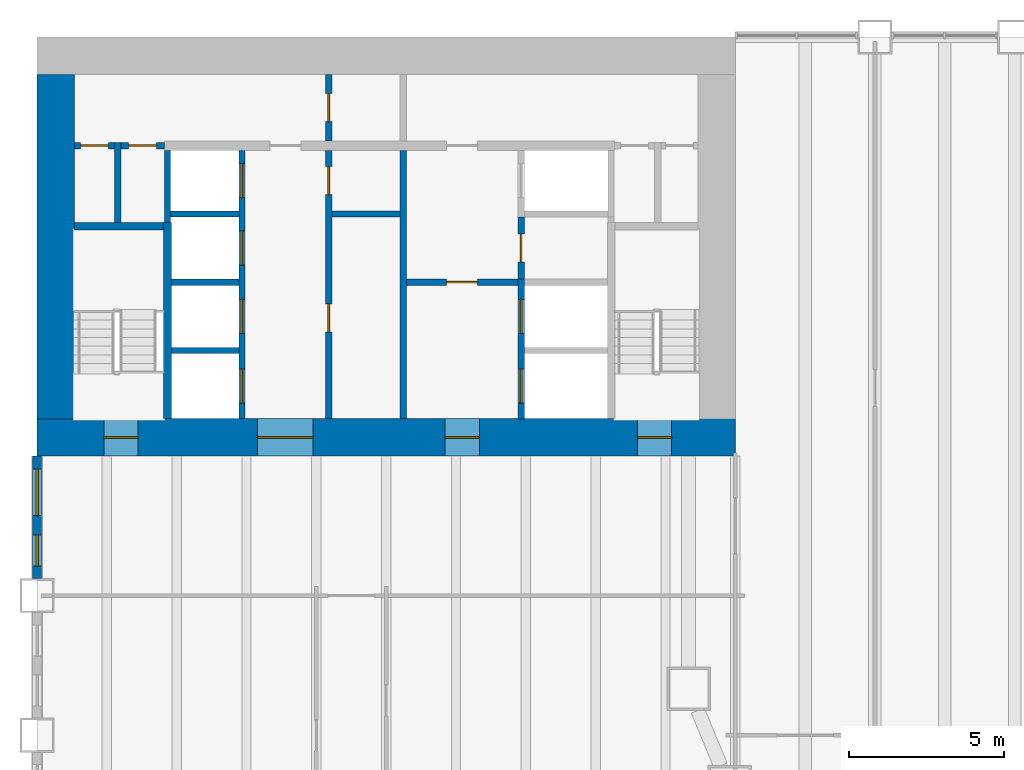
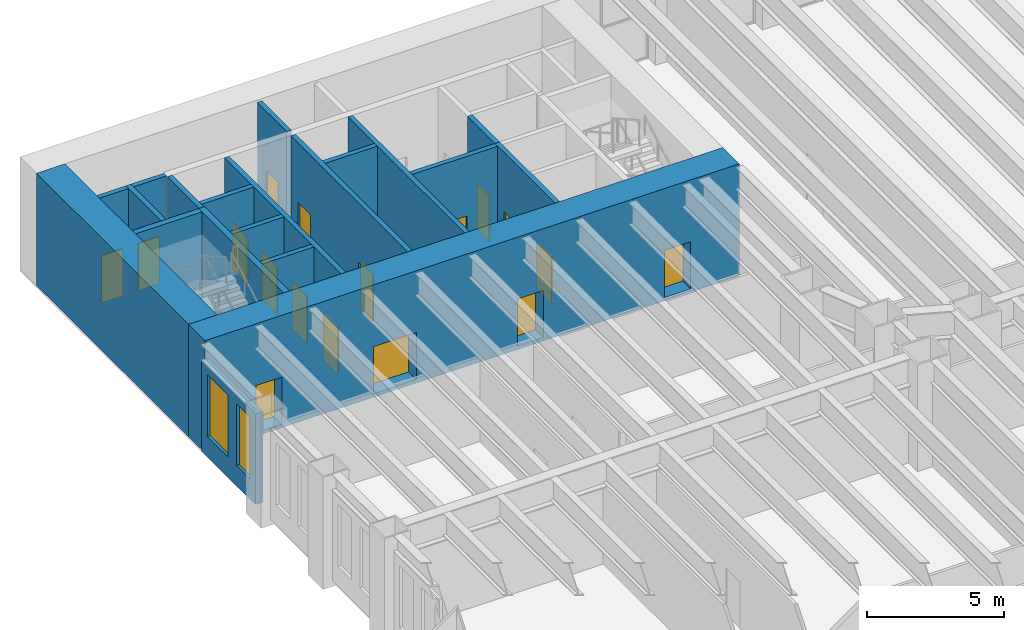
# One storey, part 14 of 19: 20 walls, 17 doors, 2 windows, 19 openings.
"""IFC4 building model written with IfcOpenShell, lengths in metres."""

from ifc_helpers import new_model, si_unit, direction, frame, frame_2d, origin, place, context, subcontext, project, spatial, rectangle, extrude, material, layer, layer_set, type_object, element, fill, save


model = new_model("IFC4")

# Units and contexts
model_context = context("Model", 3, precision=1e-05, world=origin(), true_north=direction((0.0, 1.0)))
body_context = subcontext(model_context, "Body", "Model", "MODEL_VIEW")
ifc_project = project(units=[si_unit("LENGTHUNIT", "METRE"), si_unit("AREAUNIT", "SQUARE_METRE"), si_unit("VOLUMEUNIT", "CUBIC_METRE"), si_unit("PLANEANGLEUNIT", "RADIAN"), si_unit("MASSUNIT", "GRAM", prefix="KILO")], contexts=[model_context])

# Site, building, storey
site_placement = place(None, origin())
site = spatial("IfcSite", under=ifc_project, at=site_placement, CompositionType="ELEMENT")
building_placement = place(site_placement, origin())
building = spatial("IfcBuilding", under=site, at=building_placement, Name="Sennacour Bend Tower", CompositionType="ELEMENT")
storey_placement = place(building_placement, frame((0.0, 0.0, 19.0)))
storey = spatial("IfcBuildingStorey", under=building, at=storey_placement, Name="L03", CompositionType="ELEMENT", Elevation=19.0)

# Wall, openings, doors
ifc_material_1 = material(Name="Concrete C80/95", Category="concrete")
ifc_layer_1 = layer(ifc_material_1, 1.199951171875, Name="Concrete C80/95", Category="concrete")
ifc_layer_set_1 = layer_set([ifc_layer_1], Name="Concrete C80/95")
wall_type_1 = type_object("IfcWallType", Name="Core wall 1200 C80/95", PredefinedType="SHEAR", material=ifc_layer_set_1)
wall_1_placement = place(storey_placement, frame((0.0, 36.60009765625, -0.14990234375), z_axis=(0.0, 0.0, 1.0), x_axis=(1.0, 0.0, 0.0)))
wall_1 = element("IfcWall", 1, at=wall_1_placement, inside=storey, type_object=wall_type_1, Name="Core B wall L03 S", PredefinedType="SHEAR", context=body_context, shape_type="SweptSolid", body=[
    extrude(rectangle(XDim=22.5, YDim=1.199951171875, at=frame_2d((11.25, 0.0))), origin(), (0.0, 0.0, 1.0), 5.0),
])
opening_1_placement = place(wall_1_placement, frame((7.10009765625, 0.0, 0.14990234375)))
opening_1 = element("IfcOpeningElement", 2, at=opening_1_placement, cuts=wall_1, Name="Opening CD", PredefinedType="OPENING", context=body_context, shape_type="SweptSolid", body=[
    extrude(rectangle(XDim=1.800048828125, YDim=2.10009765625, at=frame_2d((0.89990234375, 1.050048828125))), frame((0.0, 0.60986328125, 0.0), z_axis=(0.0, -1.0, 0.0), x_axis=(1.0, 0.0, 0.0)), (0.0, 0.0, 1.0), 1.219970703125),
])
opening_2_placement = place(wall_1_placement, frame((13.14990234375, 0.0, 0.14990234375)))
opening_2 = element("IfcOpeningElement", 3, at=opening_2_placement, cuts=wall_1, Name="Opening FD", PredefinedType="OPENING", context=body_context, shape_type="SweptSolid", body=[
    extrude(rectangle(XDim=1.10009765625, YDim=2.10009765625, at=frame_2d((0.550048828125, 1.050048828125))), frame((0.0, 0.60986328125, 0.0), z_axis=(0.0, -1.0, 0.0), x_axis=(1.0, 0.0, 0.0)), (0.0, 0.0, 1.0), 1.219970703125),
])
opening_3_placement = place(wall_1_placement, frame((2.14990234375, 0.0, 0.14990234375)))
opening_3 = element("IfcOpeningElement", 4, at=opening_3_placement, cuts=wall_1, Name="Opening SD", PredefinedType="OPENING", context=body_context, shape_type="SweptSolid", body=[
    extrude(rectangle(XDim=1.10009765625, YDim=2.10009765625, at=frame_2d((0.550048828125, 1.050048828125))), frame((0.0, 0.60986328125, 0.0), z_axis=(0.0, -1.0, 0.0), x_axis=(1.0, 0.0, 0.0)), (0.0, 0.0, 1.0), 1.219970703125),
])
opening_4_placement = place(wall_1_placement, frame((19.35009765625, 0.0, 0.14990234375)))
opening_4 = element("IfcOpeningElement", 5, at=opening_4_placement, cuts=wall_1, Name="Opening SD", PredefinedType="OPENING", context=body_context, shape_type="SweptSolid", body=[
    extrude(rectangle(XDim=1.10009765625, YDim=2.10009765625, at=frame_2d((0.550048828125, 1.050048828125))), frame((0.0, 0.60986328125, 0.0), z_axis=(0.0, -1.0, 0.0), x_axis=(1.0, 0.0, 0.0)), (0.0, 0.0, 1.0), 1.219970703125),
])
ifc_material_2 = material(Name="Painted steel", Category="steel")
door_type_1 = type_object("IfcDoorType", Name="DR-FFL-1100", OperationType="NOTDEFINED", PredefinedType="DOOR", material=ifc_material_2)
door_1_placement = place(opening_2_placement, origin())
door_1 = element("IfcDoor", 6, at=door_1_placement, inside=storey, type_object=door_type_1, Name="Door", OperationType="SINGLE_SWING_RIGHT", OverallHeight=2.10009765625, OverallWidth=1.10009765625, PredefinedType="DOOR", context=body_context, shape_type="SweptSolid", body=[
    extrude(rectangle(XDim=1.10009765625, YDim=2.10009765625, at=frame_2d((0.550048828125, 1.050048828125))), frame((0.0, 0.02490234375, 0.0), z_axis=(0.0, -1.0, 0.0), x_axis=(1.0, 0.0, 0.0)), (0.0, 0.0, 1.0), 0.050048828125),
])
fill(opening_2, door_1)
door_type_2 = type_object("IfcDoorType", Name="DR-LOBBY-1800", OperationType="NOTDEFINED", PredefinedType="DOOR", material=ifc_material_2)
door_2_placement = place(opening_1_placement, origin())
door_2 = element("IfcDoor", 7, at=door_2_placement, inside=storey, type_object=door_type_2, Name="Door", OperationType="DOUBLE_DOOR_SINGLE_SWING", OverallHeight=2.10009765625, OverallWidth=1.800048828125, PredefinedType="DOOR", context=body_context, shape_type="SweptSolid", body=[
    extrude(rectangle(XDim=1.800048828125, YDim=2.10009765625, at=frame_2d((0.89990234375, 1.050048828125))), frame((0.0, 0.02490234375, 0.0), z_axis=(0.0, -1.0, 0.0), x_axis=(1.0, 0.0, 0.0)), (0.0, 0.0, 1.0), 0.050048828125),
])
fill(opening_1, door_2)
door_type_3 = type_object("IfcDoorType", Name="DR-STAIR-1100", OperationType="NOTDEFINED", PredefinedType="DOOR", material=ifc_material_2)
door_3_placement = place(opening_3_placement, origin())
door_3 = element("IfcDoor", 8, at=door_3_placement, inside=storey, type_object=door_type_3, Name="Door", OperationType="SINGLE_SWING_LEFT", OverallHeight=2.10009765625, OverallWidth=1.10009765625, PredefinedType="DOOR", context=body_context, shape_type="SweptSolid", body=[
    extrude(rectangle(XDim=1.10009765625, YDim=2.10009765625, at=frame_2d((0.550048828125, 1.050048828125))), frame((0.0, 0.02490234375, 0.0), z_axis=(0.0, -1.0, 0.0), x_axis=(1.0, 0.0, 0.0)), (0.0, 0.0, 1.0), 0.050048828125),
])
fill(opening_3, door_3)
door_4_placement = place(opening_4_placement, origin())
door_4 = element("IfcDoor", 9, at=door_4_placement, inside=storey, type_object=door_type_3, Name="Door", OperationType="SINGLE_SWING_RIGHT", OverallHeight=2.10009765625, OverallWidth=1.10009765625, PredefinedType="DOOR", context=body_context, shape_type="SweptSolid", body=[
    extrude(rectangle(XDim=1.10009765625, YDim=2.10009765625, at=frame_2d((0.550048828125, 1.050048828125))), frame((0.0, 0.02490234375, 0.0), z_axis=(0.0, -1.0, 0.0), x_axis=(1.0, 0.0, 0.0)), (0.0, 0.0, 1.0), 0.050048828125),
])
fill(opening_4, door_4)

# Walls
wall_2_placement = place(storey_placement, frame((0.60009765625, 37.199951171875, -0.14990234375), z_axis=(0.0, 0.0, 1.0), x_axis=(0.0, 1.0, 0.0)))
element("IfcWall", 10, at=wall_2_placement, inside=storey, type_object=wall_type_1, Name="Core B wall L03 W", PredefinedType="SHEAR", context=body_context, shape_type="SweptSolid", body=[
    extrude(rectangle(XDim=11.10009765625, YDim=1.199951171875, at=frame_2d((5.550048828125, 0.0))), origin(), (0.0, 0.0, 1.0), 5.0),
])
ifc_material_3 = material(Name="Fire-rated plasterboard partition on steel studs", Category="steel")
ifc_layer_2 = layer(ifc_material_3, 0.199951171875, Name="Fire-rated plasterboard partition on steel studs", Category="steel")
ifc_layer_set_2 = layer_set([ifc_layer_2], Name="Fire-rated plasterboard partition on steel studs")
wall_type_2 = type_object("IfcWallType", Name="Rated partition 200", PredefinedType="PARTITIONING", material=ifc_layer_set_2)
wall_3_placement = place(storey_placement, frame((2.60009765625, 43.52490234375, 0.0), z_axis=(0.0, 0.0, 1.0), x_axis=(0.0, 1.0, 0.0)))
element("IfcWall", 11, at=wall_3_placement, inside=storey, type_object=wall_type_2, Name="P-L03-W003", PredefinedType="PARTITIONING", context=body_context, shape_type="SweptSolid", body=[
    extrude(rectangle(XDim=2.5751953125, YDim=0.199951171875, at=frame_2d((1.28759765625, 0.0))), origin(), (0.0, 0.0, 1.0), 4.75),
])

# Wall, openings, doors
wall_4_placement = place(storey_placement, frame((9.39990234375, 37.199951171875, 0.0), z_axis=(0.0, 0.0, 1.0), x_axis=(0.0, 1.0, 0.0)))
wall_4 = element("IfcWall", 12, at=wall_4_placement, inside=storey, type_object=wall_type_2, Name="P-L03-W011a", PredefinedType="PARTITIONING", context=body_context, shape_type="SweptSolid", body=[
    extrude(rectangle(XDim=8.650146484375, YDim=0.199951171875, at=frame_2d((4.3251953125, 0.0))), origin(), (0.0, 0.0, 1.0), 4.75),
])
opening_5_placement = place(wall_4_placement, frame((2.800048828125, 0.0, 0.0)))
opening_5 = element("IfcOpeningElement", 13, at=opening_5_placement, cuts=wall_4, Name="Opening SV", PredefinedType="OPENING", context=body_context, shape_type="SweptSolid", body=[
    extrude(rectangle(XDim=0.89990234375, YDim=2.10009765625, at=frame_2d((0.449951171875, 1.050048828125))), frame((0.0, 0.10986328125, 0.0), z_axis=(0.0, -1.0, 0.0), x_axis=(1.0, 0.0, 0.0)), (0.0, 0.0, 1.0), 0.219970703125),
])
opening_6_placement = place(wall_4_placement, frame((7.22509765625, 0.0, 0.0)))
opening_6 = element("IfcOpeningElement", 14, at=opening_6_placement, cuts=wall_4, Name="Opening SV", PredefinedType="OPENING", context=body_context, shape_type="SweptSolid", body=[
    extrude(rectangle(XDim=0.89990234375, YDim=2.10009765625, at=frame_2d((0.449951171875, 1.050048828125))), frame((0.0, 0.10986328125, 0.0), z_axis=(0.0, -1.0, 0.0), x_axis=(1.0, 0.0, 0.0)), (0.0, 0.0, 1.0), 0.219970703125),
])
door_type_4 = type_object("IfcDoorType", Name="DR-SERVICE-900", OperationType="NOTDEFINED", PredefinedType="DOOR", material=ifc_material_2)
door_5_placement = place(opening_5_placement, origin())
door_5 = element("IfcDoor", 15, at=door_5_placement, inside=storey, type_object=door_type_4, Name="Door", OperationType="SINGLE_SWING_LEFT", OverallHeight=2.10009765625, OverallWidth=0.89990234375, PredefinedType="DOOR", context=body_context, shape_type="SweptSolid", body=[
    extrude(rectangle(XDim=0.89990234375, YDim=2.10009765625, at=frame_2d((0.449951171875, 1.050048828125))), frame((0.0, 0.02490234375, 0.0), z_axis=(0.0, -1.0, 0.0), x_axis=(1.0, 0.0, 0.0)), (0.0, 0.0, 1.0), 0.050048828125),
])
fill(opening_5, door_5)
door_6_placement = place(opening_6_placement, origin())
door_6 = element("IfcDoor", 16, at=door_6_placement, inside=storey, type_object=door_type_4, Name="Door", OperationType="SINGLE_SWING_RIGHT", OverallHeight=2.10009765625, OverallWidth=0.89990234375, PredefinedType="DOOR", context=body_context, shape_type="SweptSolid", body=[
    extrude(rectangle(XDim=0.89990234375, YDim=2.10009765625, at=frame_2d((0.449951171875, 1.050048828125))), frame((0.0, 0.02490234375, 0.0), z_axis=(0.0, -1.0, 0.0), x_axis=(1.0, 0.0, 0.0)), (0.0, 0.0, 1.0), 0.050048828125),
])
fill(opening_6, door_6)

# Wall, opening, door
wall_5_placement = place(storey_placement, frame((9.39990234375, 46.14990234375, 0.0), z_axis=(0.0, 0.0, 1.0), x_axis=(0.0, 1.0, 0.0)))
wall_5 = element("IfcWall", 17, at=wall_5_placement, inside=storey, type_object=wall_type_2, Name="P-L03-W011b", PredefinedType="PARTITIONING", context=body_context, shape_type="SweptSolid", body=[
    extrude(rectangle(XDim=2.150146484375, YDim=0.199951171875, at=frame_2d((1.0751953125, 0.0))), origin(), (0.0, 0.0, 1.0), 4.75),
])
opening_7_placement = place(wall_5_placement, frame((0.625, 0.0, 0.0)))
opening_7 = element("IfcOpeningElement", 18, at=opening_7_placement, cuts=wall_5, Name="Opening SV", PredefinedType="OPENING", context=body_context, shape_type="SweptSolid", body=[
    extrude(rectangle(XDim=0.89990234375, YDim=2.10009765625, at=frame_2d((0.449951171875, 1.050048828125))), frame((0.0, 0.10986328125, 0.0), z_axis=(0.0, -1.0, 0.0), x_axis=(1.0, 0.0, 0.0)), (0.0, 0.0, 1.0), 0.219970703125),
])
door_7_placement = place(opening_7_placement, origin())
door_7 = element("IfcDoor", 19, at=door_7_placement, inside=storey, type_object=door_type_4, Name="Door", OperationType="SINGLE_SWING_LEFT", OverallHeight=2.10009765625, OverallWidth=0.89990234375, PredefinedType="DOOR", context=body_context, shape_type="SweptSolid", body=[
    extrude(rectangle(XDim=0.89990234375, YDim=2.10009765625, at=frame_2d((0.449951171875, 1.050048828125))), frame((0.0, 0.02490234375, 0.0), z_axis=(0.0, -1.0, 0.0), x_axis=(1.0, 0.0, 0.0)), (0.0, 0.0, 1.0), 0.050048828125),
])
fill(opening_7, door_7)

# Wall
wall_6_placement = place(storey_placement, frame((11.800048828125, 37.199951171875, 0.0), z_axis=(0.0, 0.0, 1.0), x_axis=(0.0, 1.0, 0.0)))
element("IfcWall", 20, at=wall_6_placement, inside=storey, type_object=wall_type_2, Name="P-L03-W013a", PredefinedType="PARTITIONING", context=body_context, shape_type="SweptSolid", body=[
    extrude(rectangle(XDim=8.650146484375, YDim=0.199951171875, at=frame_2d((4.3251953125, 0.0))), origin(), (0.0, 0.0, 1.0), 4.75),
])

# Wall, opening, door
wall_7_placement = place(storey_placement, frame((15.60009765625, 41.699951171875, 0.0), z_axis=(0.0, 0.0, 1.0), x_axis=(0.0, 1.0, 0.0)))
wall_7 = element("IfcWall", 21, at=wall_7_placement, inside=storey, type_object=wall_type_2, Name="P-L03-W015", PredefinedType="PARTITIONING", context=body_context, shape_type="SweptSolid", body=[
    extrude(rectangle(XDim=2.0, YDim=0.199951171875, at=frame_2d((1.0, 0.0))), origin(), (0.0, 0.0, 1.0), 4.75),
])
opening_8_placement = place(wall_7_placement, frame((0.550048828125, 0.0, 0.0)))
opening_8 = element("IfcOpeningElement", 22, at=opening_8_placement, cuts=wall_7, Name="Opening SV", PredefinedType="OPENING", context=body_context, shape_type="SweptSolid", body=[
    extrude(rectangle(XDim=0.89990234375, YDim=2.10009765625, at=frame_2d((0.449951171875, 1.050048828125))), frame((0.0, 0.10986328125, 0.0), z_axis=(0.0, -1.0, 0.0), x_axis=(1.0, 0.0, 0.0)), (0.0, 0.0, 1.0), 0.219970703125),
])
door_8_placement = place(opening_8_placement, origin())
door_8 = element("IfcDoor", 23, at=door_8_placement, inside=storey, type_object=door_type_4, Name="Door", OperationType="SINGLE_SWING_RIGHT", OverallHeight=2.10009765625, OverallWidth=0.89990234375, PredefinedType="DOOR", context=body_context, shape_type="SweptSolid", body=[
    extrude(rectangle(XDim=0.89990234375, YDim=2.10009765625, at=frame_2d((0.449951171875, 1.050048828125))), frame((0.0, 0.02490234375, 0.0), z_axis=(0.0, -1.0, 0.0), x_axis=(1.0, 0.0, 0.0)), (0.0, 0.0, 1.0), 0.050048828125),
])
fill(opening_8, door_8)

# Wall
wall_8_placement = place(storey_placement, frame((9.5, 43.800048828125, 0.0), z_axis=(0.0, 0.0, 1.0), x_axis=(1.0, 0.0, 0.0)))
element("IfcWall", 24, at=wall_8_placement, inside=storey, type_object=wall_type_2, Name="P-L03-W078", PredefinedType="PARTITIONING", context=body_context, shape_type="SweptSolid", body=[
    extrude(rectangle(XDim=2.199951171875, YDim=0.199951171875, at=frame_2d((1.10009765625, 0.0))), origin(), (0.0, 0.0, 1.0), 4.75),
])

# Wall, opening, door
wall_9_placement = place(storey_placement, frame((1.199951171875, 46.0, 0.0), z_axis=(0.0, 0.0, 1.0), x_axis=(1.0, 0.0, 0.0)))
wall_9 = element("IfcWall", 25, at=wall_9_placement, inside=storey, type_object=wall_type_2, Name="P-L03-W080a", PredefinedType="PARTITIONING", context=body_context, shape_type="SweptSolid", body=[
    extrude(rectangle(XDim=1.300048828125, YDim=0.199951171875, at=frame_2d((0.64990234375, 0.0))), origin(), (0.0, 0.0, 1.0), 4.75),
])
opening_9_placement = place(wall_9_placement, frame((0.199951171875, 0.0, 0.0)))
opening_9 = element("IfcOpeningElement", 26, at=opening_9_placement, cuts=wall_9, Name="Opening SV", PredefinedType="OPENING", context=body_context, shape_type="SweptSolid", body=[
    extrude(rectangle(XDim=0.89990234375, YDim=2.10009765625, at=frame_2d((0.449951171875, 1.050048828125))), frame((0.0, 0.10986328125, 0.0), z_axis=(0.0, -1.0, 0.0), x_axis=(1.0, 0.0, 0.0)), (0.0, 0.0, 1.0), 0.219970703125),
])
door_9_placement = place(opening_9_placement, origin())
door_9 = element("IfcDoor", 27, at=door_9_placement, inside=storey, type_object=door_type_4, Name="Door", OperationType="SINGLE_SWING_LEFT", OverallHeight=2.10009765625, OverallWidth=0.89990234375, PredefinedType="DOOR", context=body_context, shape_type="SweptSolid", body=[
    extrude(rectangle(XDim=0.89990234375, YDim=2.10009765625, at=frame_2d((0.449951171875, 1.050048828125))), frame((0.0, 0.02490234375, 0.0), z_axis=(0.0, -1.0, 0.0), x_axis=(1.0, 0.0, 0.0)), (0.0, 0.0, 1.0), 0.050048828125),
])
fill(opening_9, door_9)

wall_10_placement = place(storey_placement, frame((2.699951171875, 46.0, 0.0), z_axis=(0.0, 0.0, 1.0), x_axis=(1.0, 0.0, 0.0)))
wall_10 = element("IfcWall", 28, at=wall_10_placement, inside=storey, type_object=wall_type_2, Name="P-L03-W080b", PredefinedType="PARTITIONING", context=body_context, shape_type="SweptSolid", body=[
    extrude(rectangle(XDim=1.400146484375, YDim=0.199951171875, at=frame_2d((0.7001953125, 0.0))), origin(), (0.0, 0.0, 1.0), 4.75),
])
opening_10_placement = place(wall_10_placement, frame((0.25, 0.0, 0.0)))
opening_10 = element("IfcOpeningElement", 29, at=opening_10_placement, cuts=wall_10, Name="Opening WD", PredefinedType="OPENING", context=body_context, shape_type="SweptSolid", body=[
    extrude(rectangle(XDim=0.89990234375, YDim=2.10009765625, at=frame_2d((0.449951171875, 1.050048828125))), frame((0.0, 0.10986328125, 0.0), z_axis=(0.0, -1.0, 0.0), x_axis=(1.0, 0.0, 0.0)), (0.0, 0.0, 1.0), 0.219970703125),
])
ifc_material_4 = material(Name="Timber", Category="wood")
door_type_5 = type_object("IfcDoorType", Name="DR-WC-900", OperationType="NOTDEFINED", PredefinedType="DOOR", material=ifc_material_4)
door_10_placement = place(opening_10_placement, origin())
door_10 = element("IfcDoor", 30, at=door_10_placement, inside=storey, type_object=door_type_5, Name="Door", OperationType="SINGLE_SWING_LEFT", OverallHeight=2.10009765625, OverallWidth=0.89990234375, PredefinedType="DOOR", context=body_context, shape_type="SweptSolid", body=[
    extrude(rectangle(XDim=0.89990234375, YDim=2.10009765625, at=frame_2d((0.449951171875, 1.050048828125))), frame((0.0, 0.02490234375, 0.0), z_axis=(0.0, -1.0, 0.0), x_axis=(1.0, 0.0, 0.0)), (0.0, 0.0, 1.0), 0.050048828125),
])
fill(opening_10, door_10)

ifc_layer_3 = layer(ifc_material_3, 0.199951171875, Name="Fire-rated plasterboard partition on steel studs", Category="steel")
ifc_layer_set_3 = layer_set([ifc_layer_3], Name="Fire-rated plasterboard partition on steel studs")
wall_type_3 = type_object("IfcWallType", Name="Rated partition 200 EI 90", PredefinedType="PARTITIONING", material=ifc_layer_set_3)
wall_11_placement = place(storey_placement, frame((11.89990234375, 41.60009765625, 0.0), z_axis=(0.0, 0.0, 1.0), x_axis=(1.0, 0.0, 0.0)))
wall_11 = element("IfcWall", 31, at=wall_11_placement, inside=storey, type_object=wall_type_3, Name="P-L03-W073", PredefinedType="PARTITIONING", context=body_context, shape_type="SweptSolid", body=[
    extrude(rectangle(XDim=3.60009765625, YDim=0.199951171875, at=frame_2d((1.800048828125, 0.0))), origin(), (0.0, 0.0, 1.0), 4.75),
])
opening_11_placement = place(wall_11_placement, frame((1.300048828125, 0.0, 0.0)))
opening_11 = element("IfcOpeningElement", 32, at=opening_11_placement, cuts=wall_11, Name="Opening FD2", PredefinedType="OPENING", context=body_context, shape_type="SweptSolid", body=[
    extrude(rectangle(XDim=1.0, YDim=2.10009765625, at=frame_2d((0.5, 1.050048828125))), frame((0.0, 0.10986328125, 0.0), z_axis=(0.0, -1.0, 0.0), x_axis=(1.0, 0.0, 0.0)), (0.0, 0.0, 1.0), 0.219970703125),
])
door_type_6 = type_object("IfcDoorType", Name="DR-FFL-1000", OperationType="NOTDEFINED", PredefinedType="DOOR", material=ifc_material_2)
door_11_placement = place(opening_11_placement, origin())
door_11 = element("IfcDoor", 33, at=door_11_placement, inside=storey, type_object=door_type_6, Name="Door", OperationType="SINGLE_SWING_LEFT", OverallHeight=2.10009765625, OverallWidth=1.0, PredefinedType="DOOR", context=body_context, shape_type="SweptSolid", body=[
    extrude(rectangle(XDim=1.0, YDim=2.10009765625, at=frame_2d((0.5, 1.050048828125))), frame((0.0, 0.02490234375, 0.0), z_axis=(0.0, -1.0, 0.0), x_axis=(1.0, 0.0, 0.0)), (0.0, 0.0, 1.0), 0.050048828125),
])
fill(opening_11, door_11)

# Wall, openings, windows
ifc_material_5 = material(Name="Warm limestone cladding", Category="masonry")
ifc_layer_4 = layer(ifc_material_5, 0.050048828125, Name="Warm limestone cladding", Category="masonry")
ifc_material_6 = material(Name="Precast concrete C40/50", Category="concrete")
ifc_layer_5 = layer(ifc_material_6, 0.25, Name="Precast concrete C40/50", Category="concrete")
ifc_layer_set_4 = layer_set([ifc_layer_4, ifc_layer_5], Name="Precast concrete C40/50 with limestone cladding")
wall_type_4 = type_object("IfcWallType", Name="STONE-CLAD PRECAST SPANDREL 300", PredefinedType="STANDARD", material=ifc_layer_set_4)
wall_12_placement = place(storey_placement, frame((0.0, 35.9990234375, 0.0), z_axis=(0.0, 0.0, 1.0), x_axis=(0.0, -1.0, 0.0)))
wall_12 = element("IfcWall", 34, at=wall_12_placement, inside=storey, type_object=wall_type_4, Name="Stone spandrel and pier wall L03 02.00", PredefinedType="STANDARD", context=body_context, shape_type="SweptSolid", body=[
    extrude(rectangle(XDim=3.948974609375, YDim=0.300048828125, at=frame_2d((1.974609375, 0.0))), origin(), (0.0, 0.0, 1.0), 4.035888671875),
])
opening_12_placement = place(wall_12_placement, frame((0.424560546875, 0.0, 0.89990234375)))
opening_12 = element("IfcOpeningElement", 35, at=opening_12_placement, cuts=wall_12, Name="Opening W4", PredefinedType="OPENING", context=body_context, shape_type="SweptSolid", body=[
    extrude(rectangle(XDim=1.5, YDim=2.75, at=frame_2d((0.75, 1.375))), frame((0.0, 0.16015625, 0.0), z_axis=(0.0, -1.0, 0.0), x_axis=(1.0, 0.0, 0.0)), (0.0, 0.0, 1.0), 0.320068359375),
])
opening_13_placement = place(wall_12_placement, frame((2.549072265625, 0.0, 0.89990234375)))
opening_13 = element("IfcOpeningElement", 36, at=opening_13_placement, cuts=wall_12, Name="Opening W3", PredefinedType="OPENING", context=body_context, shape_type="SweptSolid", body=[
    extrude(rectangle(XDim=1.0, YDim=2.75, at=frame_2d((0.5, 1.375))), frame((0.0, 0.16015625, 0.0), z_axis=(0.0, -1.0, 0.0), x_axis=(1.0, 0.0, 0.0)), (0.0, 0.0, 1.0), 0.320068359375),
])
ifc_material_7 = material(Name="Clear low-emissivity glass", Category="glass")
window_type_1 = type_object("IfcWindowType", Name="WIN-RIBBON-1000x2750", PartitioningType="SINGLE_PANEL", PredefinedType="WINDOW", material=ifc_material_7)
window_1_placement = place(opening_13_placement, origin())
window_1 = element("IfcWindow", 37, at=window_1_placement, inside=storey, type_object=window_type_1, Name="Ribbon window L03 02.00.1", OverallHeight=2.75, OverallWidth=1.0, PartitioningType="SINGLE_PANEL", PredefinedType="WINDOW", context=body_context, shape_type="SweptSolid", body=[
    extrude(rectangle(XDim=1.0, YDim=2.75, at=frame_2d((0.5, 1.375))), frame((0.0, 0.030029296875, 0.0), z_axis=(0.0, -1.0, 0.0), x_axis=(1.0, 0.0, 0.0)), (0.0, 0.0, 1.0), 0.06005859375),
])
fill(opening_13, window_1)
window_type_2 = type_object("IfcWindowType", Name="WIN-RIBBON-1500x2750", PartitioningType="SINGLE_PANEL", PredefinedType="WINDOW", material=ifc_material_7)
window_2_placement = place(opening_12_placement, origin())
window_2 = element("IfcWindow", 38, at=window_2_placement, inside=storey, type_object=window_type_2, Name="Ribbon window L03 02.00.0", OverallHeight=2.75, OverallWidth=1.5, PartitioningType="SINGLE_PANEL", PredefinedType="WINDOW", context=body_context, shape_type="SweptSolid", body=[
    extrude(rectangle(XDim=1.5, YDim=2.75, at=frame_2d((0.75, 1.375))), frame((0.0, 0.030029296875, 0.0), z_axis=(0.0, -1.0, 0.0), x_axis=(1.0, 0.0, 0.0)), (0.0, 0.0, 1.0), 0.06005859375),
])
fill(opening_12, window_2)

# Wall
ifc_material_8 = material(Name="Concrete C50/60", Category="concrete")
ifc_layer_6 = layer(ifc_material_8, 0.199951171875, Name="Concrete C50/60", Category="concrete")
ifc_layer_set_5 = layer_set([ifc_layer_6], Name="Concrete C50/60")
wall_type_5 = type_object("IfcWallType", Name="Shaft wall 200", PredefinedType="SOLIDWALL", material=ifc_layer_set_5)
wall_13_placement = place(storey_placement, frame((4.199951171875, 43.52490234375, 0.0), z_axis=(0.0, 0.0, 1.0), x_axis=(0.0, 1.0, 0.0)))
element("IfcWall", 39, at=wall_13_placement, inside=storey, type_object=wall_type_5, Name="P-L03-W005", PredefinedType="SOLIDWALL", context=body_context, shape_type="SweptSolid", body=[
    extrude(rectangle(XDim=2.3251953125, YDim=0.199951171875, at=frame_2d((1.16259765625, 0.0))), origin(), (0.0, 0.0, 1.0), 4.75),
])

# Wall, openings, doors
wall_14_placement = place(storey_placement, frame((6.60009765625, 37.199951171875, 0.0), z_axis=(0.0, 0.0, 1.0), x_axis=(0.0, 1.0, 0.0)))
wall_14 = element("IfcWall", 40, at=wall_14_placement, inside=storey, type_object=wall_type_5, Name="P-L03-W006", PredefinedType="SOLIDWALL", context=body_context, shape_type="SweptSolid", body=[
    extrude(rectangle(XDim=8.650146484375, YDim=0.199951171875, at=frame_2d((4.3251953125, 0.0))), origin(), (0.0, 0.0, 1.0), 4.75),
])
opening_14_placement = place(wall_14_placement, frame((0.5, 0.0, 0.011962890625)))
opening_14 = element("IfcOpeningElement", 41, at=opening_14_placement, cuts=wall_14, Name="Opening LD", PredefinedType="OPENING", context=body_context, shape_type="SweptSolid", body=[
    extrude(rectangle(XDim=1.10009765625, YDim=2.10009765625, at=frame_2d((0.550048828125, 1.050048828125))), frame((0.0, 0.10986328125, 0.0), z_axis=(0.0, -1.0, 0.0), x_axis=(1.0, 0.0, 0.0)), (0.0, 0.0, 1.0), 0.219970703125),
])
opening_15_placement = place(wall_14_placement, frame((2.75, 0.0, 0.011962890625)))
opening_15 = element("IfcOpeningElement", 42, at=opening_15_placement, cuts=wall_14, Name="Opening LD", PredefinedType="OPENING", context=body_context, shape_type="SweptSolid", body=[
    extrude(rectangle(XDim=1.10009765625, YDim=2.10009765625, at=frame_2d((0.550048828125, 1.050048828125))), frame((0.0, 0.10986328125, 0.0), z_axis=(0.0, -1.0, 0.0), x_axis=(1.0, 0.0, 0.0)), (0.0, 0.0, 1.0), 0.219970703125),
])
opening_16_placement = place(wall_14_placement, frame((4.949951171875, 0.0, 0.011962890625)))
opening_16 = element("IfcOpeningElement", 43, at=opening_16_placement, cuts=wall_14, Name="Opening LD", PredefinedType="OPENING", context=body_context, shape_type="SweptSolid", body=[
    extrude(rectangle(XDim=1.10009765625, YDim=2.10009765625, at=frame_2d((0.550048828125, 1.050048828125))), frame((0.0, 0.10986328125, 0.0), z_axis=(0.0, -1.0, 0.0), x_axis=(1.0, 0.0, 0.0)), (0.0, 0.0, 1.0), 0.219970703125),
])
opening_17_placement = place(wall_14_placement, frame((7.125, 0.0, 0.011962890625)))
opening_17 = element("IfcOpeningElement", 44, at=opening_17_placement, cuts=wall_14, Name="Opening LD", PredefinedType="OPENING", context=body_context, shape_type="SweptSolid", body=[
    extrude(rectangle(XDim=1.10009765625, YDim=2.10009765625, at=frame_2d((0.550048828125, 1.050048828125))), frame((0.0, 0.10986328125, 0.0), z_axis=(0.0, -1.0, 0.0), x_axis=(1.0, 0.0, 0.0)), (0.0, 0.0, 1.0), 0.219970703125),
])
ifc_material_9 = material(Name="Stainless steel", Category="steel")
door_type_7 = type_object("IfcDoorType", Name="DR-LANDING-1100", OperationType="NOTDEFINED", PredefinedType="DOOR", material=ifc_material_9)
door_12_placement = place(opening_14_placement, origin())
door_12 = element("IfcDoor", 45, at=door_12_placement, inside=storey, type_object=door_type_7, Name="Lift landing door LB1", OperationType="SLIDING_TO_LEFT", OverallHeight=2.10009765625, OverallWidth=1.10009765625, PredefinedType="DOOR", context=body_context, shape_type="SweptSolid", body=[
    extrude(rectangle(XDim=1.10009765625, YDim=2.10009765625, at=frame_2d((0.550048828125, 1.050048828125))), frame((0.0, 0.02490234375, 0.0), z_axis=(0.0, -1.0, 0.0), x_axis=(1.0, 0.0, 0.0)), (0.0, 0.0, 1.0), 0.050048828125),
])
fill(opening_14, door_12)
door_13_placement = place(opening_15_placement, origin())
door_13 = element("IfcDoor", 46, at=door_13_placement, inside=storey, type_object=door_type_7, Name="Lift landing door LB2", OperationType="SLIDING_TO_RIGHT", OverallHeight=2.10009765625, OverallWidth=1.10009765625, PredefinedType="DOOR", context=body_context, shape_type="SweptSolid", body=[
    extrude(rectangle(XDim=1.10009765625, YDim=2.10009765625, at=frame_2d((0.550048828125, 1.050048828125))), frame((0.0, 0.02490234375, 0.0), z_axis=(0.0, -1.0, 0.0), x_axis=(1.0, 0.0, 0.0)), (0.0, 0.0, 1.0), 0.050048828125),
])
fill(opening_15, door_13)
door_14_placement = place(opening_16_placement, origin())
door_14 = element("IfcDoor", 47, at=door_14_placement, inside=storey, type_object=door_type_7, Name="Lift landing door LB3", OperationType="SLIDING_TO_LEFT", OverallHeight=2.10009765625, OverallWidth=1.10009765625, PredefinedType="DOOR", context=body_context, shape_type="SweptSolid", body=[
    extrude(rectangle(XDim=1.10009765625, YDim=2.10009765625, at=frame_2d((0.550048828125, 1.050048828125))), frame((0.0, 0.02490234375, 0.0), z_axis=(0.0, -1.0, 0.0), x_axis=(1.0, 0.0, 0.0)), (0.0, 0.0, 1.0), 0.050048828125),
])
fill(opening_16, door_14)
door_15_placement = place(opening_17_placement, origin())
door_15 = element("IfcDoor", 48, at=door_15_placement, inside=storey, type_object=door_type_7, Name="Lift landing door LB4", OperationType="SLIDING_TO_RIGHT", OverallHeight=2.10009765625, OverallWidth=1.10009765625, PredefinedType="DOOR", context=body_context, shape_type="SweptSolid", body=[
    extrude(rectangle(XDim=1.10009765625, YDim=2.10009765625, at=frame_2d((0.550048828125, 1.050048828125))), frame((0.0, 0.02490234375, 0.0), z_axis=(0.0, -1.0, 0.0), x_axis=(1.0, 0.0, 0.0)), (0.0, 0.0, 1.0), 0.050048828125),
])
fill(opening_17, door_15)

wall_15_placement = place(storey_placement, frame((15.60009765625, 37.199951171875, 0.0), z_axis=(0.0, 0.0, 1.0), x_axis=(0.0, 1.0, 0.0)))
wall_15 = element("IfcWall", 49, at=wall_15_placement, inside=storey, type_object=wall_type_5, Name="P-L03-W014", PredefinedType="SOLIDWALL", context=body_context, shape_type="SweptSolid", body=[
    extrude(rectangle(XDim=4.5, YDim=0.199951171875, at=frame_2d((2.25, 0.0))), origin(), (0.0, 0.0, 1.0), 4.75),
])
opening_18_placement = place(wall_15_placement, frame((0.5, 0.0, 0.011962890625)))
opening_18 = element("IfcOpeningElement", 50, at=opening_18_placement, cuts=wall_15, Name="Opening FLD", PredefinedType="OPENING", context=body_context, shape_type="SweptSolid", body=[
    extrude(rectangle(XDim=1.10009765625, YDim=2.10009765625, at=frame_2d((0.550048828125, 1.050048828125))), frame((0.0, 0.10986328125, 0.0), z_axis=(0.0, -1.0, 0.0), x_axis=(1.0, 0.0, 0.0)), (0.0, 0.0, 1.0), 0.219970703125),
])
opening_19_placement = place(wall_15_placement, frame((2.75, 0.0, 0.011962890625)))
opening_19 = element("IfcOpeningElement", 51, at=opening_19_placement, cuts=wall_15, Name="Opening FLD", PredefinedType="OPENING", context=body_context, shape_type="SweptSolid", body=[
    extrude(rectangle(XDim=1.10009765625, YDim=2.10009765625, at=frame_2d((0.550048828125, 1.050048828125))), frame((0.0, 0.10986328125, 0.0), z_axis=(0.0, -1.0, 0.0), x_axis=(1.0, 0.0, 0.0)), (0.0, 0.0, 1.0), 0.219970703125),
])
door_type_8 = type_object("IfcDoorType", Name="DR-FF-LANDING-1100", OperationType="NOTDEFINED", PredefinedType="DOOR", material=ifc_material_9)
door_16_placement = place(opening_18_placement, origin())
door_16 = element("IfcDoor", 52, at=door_16_placement, inside=storey, type_object=door_type_8, Name="Fire service lift landing door FB1", OperationType="SLIDING_TO_LEFT", OverallHeight=2.10009765625, OverallWidth=1.10009765625, PredefinedType="DOOR", context=body_context, shape_type="SweptSolid", body=[
    extrude(rectangle(XDim=1.10009765625, YDim=2.10009765625, at=frame_2d((0.550048828125, 1.050048828125))), frame((0.0, 0.02490234375, 0.0), z_axis=(0.0, -1.0, 0.0), x_axis=(1.0, 0.0, 0.0)), (0.0, 0.0, 1.0), 0.050048828125),
])
fill(opening_18, door_16)
door_17_placement = place(opening_19_placement, origin())
door_17 = element("IfcDoor", 53, at=door_17_placement, inside=storey, type_object=door_type_8, Name="Fire service lift landing door FB2", OperationType="SLIDING_TO_RIGHT", OverallHeight=2.10009765625, OverallWidth=1.10009765625, PredefinedType="DOOR", context=body_context, shape_type="SweptSolid", body=[
    extrude(rectangle(XDim=1.10009765625, YDim=2.10009765625, at=frame_2d((0.550048828125, 1.050048828125))), frame((0.0, 0.02490234375, 0.0), z_axis=(0.0, -1.0, 0.0), x_axis=(1.0, 0.0, 0.0)), (0.0, 0.0, 1.0), 0.050048828125),
])
fill(opening_19, door_17)

# Walls
for number, where, z_axis, x_axis, name in (
    (54, (4.324951171875, 39.39990234375, 0.0), (0.0, 0.0, 1.0), (1.0, 0.0, 0.0), "P-L03-W070"),
    (55, (4.324951171875, 41.60009765625, 0.0), (0.0, 0.0, 1.0), (1.0, 0.0, 0.0), "P-L03-W072"),
):
    element("IfcWall", number, at=place(storey_placement, frame(where, z_axis=z_axis, x_axis=x_axis)), inside=storey, type_object=wall_type_5, Name=name, PredefinedType="SOLIDWALL", context=body_context, shape_type="SweptSolid", body=[
        extrude(rectangle(XDim=2.175048828125, YDim=0.199951171875, at=frame_2d((1.08740234375, 0.0))), origin(), (0.0, 0.0, 1.0), 4.75),
    ])
wall_16_placement = place(storey_placement, frame((4.300048828125, 43.800048828125, 0.0), z_axis=(0.0, 0.0, 1.0), x_axis=(1.0, 0.0, 0.0)))
element("IfcWall", 56, at=wall_16_placement, inside=storey, type_object=wall_type_5, Name="P-L03-W077", PredefinedType="SOLIDWALL", context=body_context, shape_type="SweptSolid", body=[
    extrude(rectangle(XDim=2.199951171875, YDim=0.199951171875, at=frame_2d((1.10009765625, 0.0))), origin(), (0.0, 0.0, 1.0), 4.75),
])
ifc_material_10 = material(Name="Concrete C60/75", Category="concrete")
ifc_layer_7 = layer(ifc_material_10, 0.25, Name="Concrete C60/75", Category="concrete")
ifc_layer_set_6 = layer_set([ifc_layer_7], Name="Concrete C60/75")
wall_type_6 = type_object("IfcWallType", Name="Stair wall 250", PredefinedType="SHEAR", material=ifc_layer_set_6)
wall_17_placement = place(storey_placement, frame((4.199951171875, 37.199951171875, 0.0), z_axis=(0.0, 0.0, 1.0), x_axis=(0.0, 1.0, 0.0)))
element("IfcWall", 57, at=wall_17_placement, inside=storey, type_object=wall_type_6, Name="P-L03-W004", PredefinedType="SHEAR", context=body_context, shape_type="SweptSolid", body=[
    extrude(rectangle(XDim=6.324951171875, YDim=0.25, at=frame_2d((3.16259765625, 0.0))), origin(), (0.0, 0.0, 1.0), 4.75),
])
wall_18_placement = place(storey_placement, frame((1.199951171875, 43.39990234375, 0.0), z_axis=(0.0, 0.0, 1.0), x_axis=(1.0, 0.0, 0.0)))
element("IfcWall", 58, at=wall_18_placement, inside=storey, type_object=wall_type_6, Name="P-L03-W075", PredefinedType="SHEAR", context=body_context, shape_type="SweptSolid", body=[
    extrude(rectangle(XDim=2.875, YDim=0.25, at=frame_2d((1.4375, 0.0))), origin(), (0.0, 0.0, 1.0), 4.75),
])

save(model, "model.ifc")
